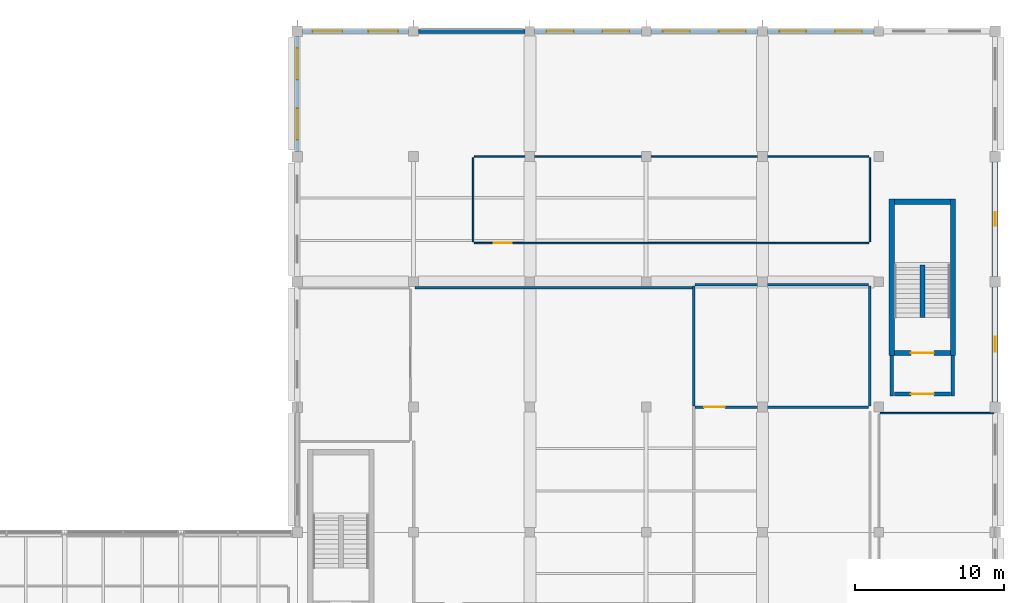
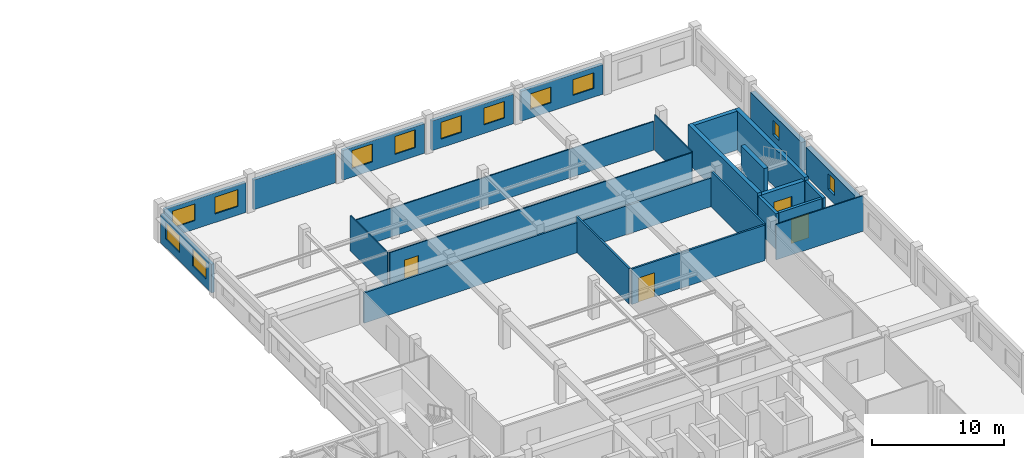
# One storey, part 45 of 49: 26 walls, 12 windows, 4 doors, 16 openings.
"""IFC4 building model written with IfcOpenShell, lengths in metres."""

from ifc_helpers import new_model, si_unit, direction, frame, frame_2d, origin, place, context, subcontext, project, spatial, rectangle, extrude, material, layer, layer_set, type_object, element, fill, save


model = new_model("IFC4")

# Units and contexts
model_context = context("Model", 3, precision=1e-05, world=origin(), true_north=direction((0.0, 1.0)))
body_context = subcontext(model_context, "Body", "Model", "MODEL_VIEW")
ifc_project = project(units=[si_unit("LENGTHUNIT", "METRE"), si_unit("AREAUNIT", "SQUARE_METRE"), si_unit("VOLUMEUNIT", "CUBIC_METRE"), si_unit("PLANEANGLEUNIT", "RADIAN"), si_unit("MASSUNIT", "GRAM", prefix="KILO"), si_unit("THERMODYNAMICTEMPERATUREUNIT", "KELVIN"), si_unit("POWERUNIT", "WATT")], contexts=[model_context])

# Site, building, storey
site_placement = place(None, origin())
site = spatial("IfcSite", under=ifc_project, at=site_placement, CompositionType="ELEMENT")
building_placement = place(site_placement, origin())
building = spatial("IfcBuilding", under=site, at=building_placement, Name="Srebrne Nadtorze General Hospital", CompositionType="ELEMENT")
storey_placement = place(building_placement, frame((0.0, 0.0, 26.10009765625)))
storey = spatial("IfcBuildingStorey", under=building, at=storey_placement, Name="L06", CompositionType="ELEMENT", Elevation=26.10009765625)

# Wall, opening, window
ifc_material_1 = material(Name="Concrete C40/50", Category="concrete")
ifc_layer_1 = layer(ifc_material_1, 0.419921875)
ifc_layer_set_1 = layer_set([ifc_layer_1], Name="Concrete C40/50")
wall_type_1 = type_object("IfcWallType", Name="Acoustic buffer wall 420", PredefinedType="SOLIDWALL", material=ifc_layer_set_1)
wall_1_placement = place(storey_placement, frame((148.199951171875, 67.550048828125, 0.0), z_axis=(0.0, 0.0, 1.0), x_axis=(0.0, 1.0, 0.0)))
wall_1 = element("IfcWall", 1, at=wall_1_placement, inside=storey, type_object=wall_type_1, Name="Exterior wall WL-ENV-L06-0503", PredefinedType="SOLIDWALL", context=body_context, shape_type="SweptSolid", body=[
    extrude(rectangle(XDim=7.699951171875, YDim=0.419921875, at=frame_2d((3.85009765625, 0.0))), origin(), (0.0, 0.0, 1.0), 2.64990234375),
])
opening_1_placement = place(wall_1_placement, frame((3.35009765625, 0.0, 0.800048828125)))
opening_1 = element("IfcOpeningElement", 2, at=opening_1_placement, cuts=wall_1, Name="Opening WN-L06-0836", PredefinedType="OPENING", context=body_context, shape_type="SweptSolid", body=[
    extrude(rectangle(XDim=1.0, YDim=1.449951171875, at=frame_2d((0.5, 0.72509765625))), frame((0.0, 0.221923828125, 0.0), z_axis=(0.0, -1.0, 0.0), x_axis=(1.0, 0.0, 0.0)), (0.0, 0.0, 1.0), 0.44384765625),
])
ifc_material_2 = material(Name="Triple Low-E Glazing", Category="glass")
window_type_1 = type_object("IfcWindowType", Name="Punched clinical window 1000x1450", PartitioningType="SINGLE_PANEL", PredefinedType="WINDOW", material=ifc_material_2)
window_1_placement = place(opening_1_placement, origin())
window_1 = element("IfcWindow", 3, at=window_1_placement, inside=storey, type_object=window_type_1, Name="Clinical window WN-L06-0836", OverallHeight=1.449951171875, OverallWidth=1.0, PartitioningType="SINGLE_PANEL", PredefinedType="WINDOW", context=body_context, shape_type="SweptSolid", body=[
    extrude(rectangle(XDim=1.0, YDim=1.449951171875, at=frame_2d((0.5, 0.72509765625))), frame((0.0, 0.030029296875, 0.0), z_axis=(0.0, -1.0, 0.0), x_axis=(1.0, 0.0, 0.0)), (0.0, 0.0, 1.0), 0.06005859375),
])
fill(opening_1, window_1)

wall_2_placement = place(storey_placement, frame((148.199951171875, 75.949951171875, 0.0), z_axis=(0.0, 0.0, 1.0), x_axis=(0.0, 1.0, 0.0)))
wall_2 = element("IfcWall", 4, at=wall_2_placement, inside=storey, type_object=wall_type_1, Name="Exterior wall WL-ENV-L06-0504", PredefinedType="SOLIDWALL", context=body_context, shape_type="SweptSolid", body=[
    extrude(rectangle(XDim=7.699951171875, YDim=0.419921875, at=frame_2d((3.85009765625, 0.0))), origin(), (0.0, 0.0, 1.0), 2.64990234375),
])
opening_2_placement = place(wall_2_placement, frame((3.39990234375, 0.0, 0.800048828125)))
opening_2 = element("IfcOpeningElement", 5, at=opening_2_placement, cuts=wall_2, Name="Opening WN-L06-0837", PredefinedType="OPENING", context=body_context, shape_type="SweptSolid", body=[
    extrude(rectangle(XDim=0.89990234375, YDim=1.300048828125, at=frame_2d((0.449951171875, 0.64990234375))), frame((0.0, 0.221923828125, 0.0), z_axis=(0.0, -1.0, 0.0), x_axis=(1.0, 0.0, 0.0)), (0.0, 0.0, 1.0), 0.44384765625),
])
ifc_material_3 = material(Name="Triple Low-E Glazing", Category="glass")
window_type_2 = type_object("IfcWindowType", Name="Punched clinical window 900x1300", PartitioningType="SINGLE_PANEL", PredefinedType="WINDOW", material=ifc_material_3)
window_2_placement = place(opening_2_placement, origin())
window_2 = element("IfcWindow", 6, at=window_2_placement, inside=storey, type_object=window_type_2, Name="Clinical window WN-L06-0837", OverallHeight=1.300048828125, OverallWidth=0.89990234375, PartitioningType="SINGLE_PANEL", PredefinedType="WINDOW", context=body_context, shape_type="SweptSolid", body=[
    extrude(rectangle(XDim=0.89990234375, YDim=1.300048828125, at=frame_2d((0.449951171875, 0.64990234375))), frame((0.0, 0.030029296875, 0.0), z_axis=(0.0, -1.0, 0.0), x_axis=(1.0, 0.0, 0.0)), (0.0, 0.0, 1.0), 0.06005859375),
])
fill(opening_2, window_2)

# Wall, opening, door
ifc_material_4 = material(Name="Gypsum Healthcare Partition")
ifc_layer_2 = layer(ifc_material_4, 0.159912109375)
ifc_layer_set_2 = layer_set([ifc_layer_2], Name="Gypsum Healthcare Partition")
wall_type_2 = type_object("IfcWallType", Name="Clinical partition 160", PredefinedType="PARTITIONING", material=ifc_layer_set_2)
wall_3_placement = place(storey_placement, frame((128.0849609375, 67.199951171875, 0.0), z_axis=(0.0, 0.0, 1.0), x_axis=(1.0, 0.0, 0.0)))
wall_3 = element("IfcWall", 7, at=wall_3_placement, inside=storey, type_object=wall_type_2, Name="Ergotherapy Assessment Room wall WL-INT-L06-2210", PredefinedType="PARTITIONING", context=body_context, shape_type="SweptSolid", body=[
    extrude(rectangle(XDim=11.630126953125, YDim=0.159912109375, at=frame_2d((5.81494140625, 0.0))), origin(), (0.0, 0.0, 1.0), 3.27978515625),
])
opening_3_placement = place(wall_3_placement, frame((0.597412109375, 0.0, 0.0)))
opening_3 = element("IfcOpeningElement", 8, at=opening_3_placement, cuts=wall_3, Name="Opening D-L06-0478", PredefinedType="OPENING", context=body_context, shape_type="SweptSolid", body=[
    extrude(rectangle(XDim=1.39990234375, YDim=2.25, at=frame_2d((0.699951171875, 1.125))), frame((0.0, 0.091796875, 0.0), z_axis=(0.0, -1.0, 0.0), x_axis=(1.0, 0.0, 0.0)), (0.0, 0.0, 1.0), 0.183837890625),
])
ifc_material_5 = material(Name="Anodised Aluminium", Category="aluminium")
door_type_1 = type_object("IfcDoorType", Name="Single leaf door 1400x2250", OperationType="NOTDEFINED", PredefinedType="DOOR", material=ifc_material_5)
door_1_placement = place(opening_3_placement, origin())
door_1 = element("IfcDoor", 9, at=door_1_placement, inside=storey, type_object=door_type_1, Name="Ergotherapy Assessment Room door D-L06-0478", OperationType="SINGLE_SWING_LEFT", OverallHeight=2.25, OverallWidth=1.39990234375, PredefinedType="DOOR", context=body_context, shape_type="SweptSolid", body=[
    extrude(rectangle(XDim=1.39990234375, YDim=2.25, at=frame_2d((0.699951171875, 1.125))), frame((0.0, 0.02490234375, 0.0), z_axis=(0.0, -1.0, 0.0), x_axis=(1.0, 0.0, 0.0)), (0.0, 0.0, 1.0), 0.050048828125),
])
fill(opening_3, door_1)

# Walls
wall_4_placement = place(storey_placement, frame((128.0849609375, 75.39990234375, 0.0), z_axis=(0.0, 0.0, 1.0), x_axis=(1.0, 0.0, 0.0)))
element("IfcWall", 10, at=wall_4_placement, inside=storey, type_object=wall_type_2, Name="Ergotherapy Assessment Room wall WL-INT-L06-2211", PredefinedType="PARTITIONING", context=body_context, shape_type="SweptSolid", body=[
    extrude(rectangle(XDim=11.630126953125, YDim=0.159912109375, at=frame_2d((5.81494140625, 0.0))), origin(), (0.0, 0.0, 1.0), 2.64990234375),
])
for number, where, z_axis, x_axis, name in (
    (11, (128.0, 67.284912109375, 0.0), (0.0, 0.0, 1.0), (0.0, 1.0, 0.0), "Ergotherapy Assessment Room wall WL-INT-L06-2212"),
    (12, (139.800048828125, 67.284912109375, 0.0), (0.0, 0.0, 1.0), (0.0, 1.0, 0.0), "Ergotherapy Assessment Room wall WL-INT-L06-2213"),
):
    element("IfcWall", number, at=place(storey_placement, frame(where, z_axis=z_axis, x_axis=x_axis)), inside=storey, type_object=wall_type_2, Name=name, PredefinedType="PARTITIONING", context=body_context, shape_type="SweptSolid", body=[
        extrude(rectangle(XDim=8.030029296875, YDim=0.159912109375, at=frame_2d((4.01513671875, 0.0))), origin(), (0.0, 0.0, 1.0), 3.27978515625),
    ])
wall_5_placement = place(storey_placement, frame((109.284912109375, 75.199951171875, 0.0), z_axis=(0.0, 0.0, 1.0), x_axis=(1.0, 0.0, 0.0)))
element("IfcWall", 13, at=wall_5_placement, inside=storey, type_object=wall_type_2, Name="Physiotherapy Kinesiotherapy Gymnasium wall WL-INT-L06-2221", PredefinedType="PARTITIONING", context=body_context, shape_type="SweptSolid", body=[
    extrude(rectangle(XDim=18.630126953125, YDim=0.159912109375, at=frame_2d((9.31494140625, 0.0))), origin(), (0.0, 0.0, 1.0), 2.7998046875),
])
ifc_material_6 = material(Name="Gypsum Healthcare Partition")
ifc_layer_3 = layer(ifc_material_6, 0.239990234375)
ifc_layer_set_3 = layer_set([ifc_layer_3], Name="Gypsum Healthcare Partition")
wall_type_3 = type_object("IfcWallType", Name="Corridor fire wall 240", PredefinedType="STANDARD", material=ifc_layer_set_3)
for number, where, z_axis, x_axis, name in (
    (14, (141.27490234375, 67.955078125, 0.0), (0.0, 0.0, 1.0), (0.0, 1.0, 0.0), "Fire lobby wall ST-04 WL-INT-L06-0405"),
    (15, (145.375, 67.955078125, 0.0), (0.0, 0.0, 1.0), (0.0, 1.0, 0.0), "Fire lobby wall ST-04 WL-INT-L06-0406"),
):
    element("IfcWall", number, at=place(storey_placement, frame(where, z_axis=z_axis, x_axis=x_axis)), inside=storey, type_object=wall_type_3, Name=name, PredefinedType="STANDARD", context=body_context, shape_type="SweptSolid", body=[
        extrude(rectangle(XDim=2.69482421875, YDim=0.239990234375, at=frame_2d((1.347412109375, 0.0))), origin(), (0.0, 0.0, 1.0), 3.2998046875),
    ])

# Wall, opening, door
wall_6_placement = place(storey_placement, frame((141.449951171875, 68.074951171875, 0.0), z_axis=(0.0, 0.0, 1.0), x_axis=(1.0, 0.0, 0.0)))
wall_6 = element("IfcWall", 16, at=wall_6_placement, inside=storey, type_object=wall_type_3, Name="Fire lobby entry wall ST-04 WL-INT-L06-0407", PredefinedType="STANDARD", context=body_context, shape_type="SweptSolid", body=[
    extrude(rectangle(XDim=3.75, YDim=0.239990234375, at=frame_2d((1.875, 0.0))), origin(), (0.0, 0.0, 1.0), 3.2998046875),
])
opening_4_placement = place(wall_6_placement, frame((1.10009765625, 0.0, 0.0)))
opening_4 = element("IfcOpeningElement", 17, at=opening_4_placement, cuts=wall_6, Name="Opening D-L06-0102", PredefinedType="OPENING", context=body_context, shape_type="SweptSolid", body=[
    extrude(rectangle(XDim=1.550048828125, YDim=2.25, at=frame_2d((0.77490234375, 1.125))), frame((0.0, 0.1318359375, 0.0), z_axis=(0.0, -1.0, 0.0), x_axis=(1.0, 0.0, 0.0)), (0.0, 0.0, 1.0), 0.263916015625),
])
ifc_material_7 = material(Name="Anodised Aluminium", Category="aluminium")
door_type_2 = type_object("IfcDoorType", Name="Double leaf door 1550x2250", OperationType="DOUBLE_DOOR_SINGLE_SWING", PredefinedType="DOOR", material=ifc_material_7)
door_2_placement = place(opening_4_placement, origin())
door_2 = element("IfcDoor", 18, at=door_2_placement, inside=storey, type_object=door_type_2, Name="Fire lobby door ST-04 D-L06-0102", OperationType="DOUBLE_DOOR_SINGLE_SWING", OverallHeight=2.25, OverallWidth=1.550048828125, PredefinedType="DOOR", context=body_context, shape_type="SweptSolid", body=[
    extrude(rectangle(XDim=1.550048828125, YDim=2.25, at=frame_2d((0.77490234375, 1.125))), frame((0.0, 0.02490234375, 0.0), z_axis=(0.0, -1.0, 0.0), x_axis=(1.0, 0.0, 0.0)), (0.0, 0.0, 1.0), 0.050048828125),
])
fill(opening_4, door_2)

ifc_material_8 = material(Name="Gypsum Healthcare Partition")
ifc_layer_4 = layer(ifc_material_8, 0.10009765625)
ifc_layer_set_4 = layer_set([ifc_layer_4], Name="Gypsum Healthcare Partition")
wall_type_4 = type_object("IfcWallType", Name="Shaft lining wall 100", PredefinedType="PARTITIONING", material=ifc_layer_set_4)
wall_7_placement = place(storey_placement, frame((113.284912109375, 78.199951171875, 0.0), z_axis=(0.0, 0.0, 1.0), x_axis=(1.0, 0.0, 0.0)))
wall_7 = element("IfcWall", 19, at=wall_7_placement, inside=storey, type_object=wall_type_4, Name="Respiratory Function Laboratory wall WL-INT-L06-2226", PredefinedType="PARTITIONING", context=body_context, shape_type="SweptSolid", body=[
    extrude(rectangle(XDim=26.43017578125, YDim=0.10009765625, at=frame_2d((13.215087890625, 0.0))), origin(), (0.0, 0.0, 1.0), 3.27978515625),
])
opening_5_placement = place(wall_7_placement, frame((1.294921875, 0.0, 0.0)))
opening_5 = element("IfcOpeningElement", 20, at=opening_5_placement, cuts=wall_7, Name="Opening D-L06-0483", PredefinedType="OPENING", context=body_context, shape_type="SweptSolid", body=[
    extrude(rectangle(XDim=1.199951171875, YDim=2.14990234375, at=frame_2d((0.60009765625, 1.074951171875))), frame((0.0, 0.06201171875, 0.0), z_axis=(0.0, -1.0, 0.0), x_axis=(1.0, 0.0, 0.0)), (0.0, 0.0, 1.0), 0.1240234375),
])
ifc_material_9 = material(Name="Anodised Aluminium", Category="aluminium")
door_type_3 = type_object("IfcDoorType", Name="Single leaf door 1200x2150", OperationType="NOTDEFINED", PredefinedType="DOOR", material=ifc_material_9)
door_3_placement = place(opening_5_placement, origin())
door_3 = element("IfcDoor", 21, at=door_3_placement, inside=storey, type_object=door_type_3, Name="Respiratory Function Laboratory door D-L06-0483", OperationType="SINGLE_SWING_LEFT", OverallHeight=2.14990234375, OverallWidth=1.199951171875, PredefinedType="DOOR", context=body_context, shape_type="SweptSolid", body=[
    extrude(rectangle(XDim=1.199951171875, YDim=2.14990234375, at=frame_2d((0.60009765625, 1.074951171875))), frame((0.0, 0.02490234375, 0.0), z_axis=(0.0, -1.0, 0.0), x_axis=(1.0, 0.0, 0.0)), (0.0, 0.0, 1.0), 0.050048828125),
])
fill(opening_5, door_3)

# Walls
wall_8_placement = place(storey_placement, frame((113.284912109375, 84.0, 0.0), z_axis=(0.0, 0.0, 1.0), x_axis=(1.0, 0.0, 0.0)))
element("IfcWall", 22, at=wall_8_placement, inside=storey, type_object=wall_type_4, Name="Respiratory Function Laboratory wall WL-INT-L06-2227", PredefinedType="PARTITIONING", context=body_context, shape_type="SweptSolid", body=[
    extrude(rectangle(XDim=26.43017578125, YDim=0.10009765625, at=frame_2d((13.215087890625, 0.0))), origin(), (0.0, 0.0, 1.0), 2.64990234375),
])
for number, where, z_axis, x_axis, name in (
    (23, (113.199951171875, 78.284912109375, 0.0), (0.0, 0.0, 1.0), (0.0, 1.0, 0.0), "Respiratory Function Laboratory wall WL-INT-L06-2228"),
    (24, (139.800048828125, 78.284912109375, 0.0), (0.0, 0.0, 1.0), (0.0, 1.0, 0.0), "Respiratory Function Laboratory wall WL-INT-L06-2229"),
):
    element("IfcWall", number, at=place(storey_placement, frame(where, z_axis=z_axis, x_axis=x_axis)), inside=storey, type_object=wall_type_4, Name=name, PredefinedType="PARTITIONING", context=body_context, shape_type="SweptSolid", body=[
        extrude(rectangle(XDim=5.630126953125, YDim=0.10009765625, at=frame_2d((2.81494140625, 0.0))), origin(), (0.0, 0.0, 1.0), 3.27978515625),
    ])
wall_9_placement = place(storey_placement, frame((140.485107421875, 66.800048828125, 0.0), z_axis=(0.0, 0.0, 1.0), x_axis=(1.0, 0.0, 0.0)))
element("IfcWall", 25, at=wall_9_placement, inside=storey, type_object=wall_type_4, Name="Clinical Nutrition Consultation Suite wall WL-INT-L06-2238", PredefinedType="PARTITIONING", context=body_context, shape_type="SweptSolid", body=[
    extrude(rectangle(XDim=7.6298828125, YDim=0.10009765625, at=frame_2d((3.81494140625, 0.0))), origin(), (0.0, 0.0, 1.0), 3.27978515625),
])
ifc_material_10 = material(Name="Concrete C40/50", Category="concrete")
ifc_layer_5 = layer(ifc_material_10, 0.35009765625)
ifc_layer_set_5 = layer_set([ifc_layer_5], Name="Concrete C40/50")
wall_type_5 = type_object("IfcWallType", Name="Shear core wall 350", PredefinedType="SHEAR", material=ifc_layer_set_5)
for number, where, z_axis, x_axis, name in (
    (26, (141.27490234375, 70.64990234375, 0.0), (0.0, 0.0, 1.0), (0.0, 1.0, 0.0), "Stair core wall ST-04 WL-INT-L06-0401"),
    (27, (145.375, 70.64990234375, 0.0), (0.0, 0.0, 1.0), (0.0, 1.0, 0.0), "Stair core wall ST-04 WL-INT-L06-0402"),
):
    element("IfcWall", number, at=place(storey_placement, frame(where, z_axis=z_axis, x_axis=x_axis)), inside=storey, type_object=wall_type_5, Name=name, PredefinedType="SHEAR", context=body_context, shape_type="SweptSolid", body=[
        extrude(rectangle(XDim=10.5, YDim=0.35009765625, at=frame_2d((5.25, 0.0))), origin(), (0.0, 0.0, 1.0), 3.599853515625),
    ])
wall_10_placement = place(storey_placement, frame((141.449951171875, 80.97509765625, 0.0), z_axis=(0.0, 0.0, 1.0), x_axis=(1.0, 0.0, 0.0)))
element("IfcWall", 28, at=wall_10_placement, inside=storey, type_object=wall_type_5, Name="Stair core wall ST-04 WL-INT-L06-0403", PredefinedType="SHEAR", context=body_context, shape_type="SweptSolid", body=[
    extrude(rectangle(XDim=3.75, YDim=0.35009765625, at=frame_2d((1.875, 0.0))), origin(), (0.0, 0.0, 1.0), 3.599853515625),
])

# Wall, opening, door
wall_11_placement = place(storey_placement, frame((141.449951171875, 70.824951171875, 0.0), z_axis=(0.0, 0.0, 1.0), x_axis=(1.0, 0.0, 0.0)))
wall_11 = element("IfcWall", 29, at=wall_11_placement, inside=storey, type_object=wall_type_5, Name="Stairwell fire wall ST-04 WL-INT-L06-0404", PredefinedType="SHEAR", context=body_context, shape_type="SweptSolid", body=[
    extrude(rectangle(XDim=3.75, YDim=0.35009765625, at=frame_2d((1.875, 0.0))), origin(), (0.0, 0.0, 1.0), 3.2998046875),
])
opening_6_placement = place(wall_11_placement, frame((1.10009765625, 0.0, 0.0)))
opening_6 = element("IfcOpeningElement", 30, at=opening_6_placement, cuts=wall_11, Name="Opening D-L06-0101", PredefinedType="OPENING", context=body_context, shape_type="SweptSolid", body=[
    extrude(rectangle(XDim=1.550048828125, YDim=2.25, at=frame_2d((0.77490234375, 1.125))), frame((0.0, 0.18701171875, 0.0), z_axis=(0.0, -1.0, 0.0), x_axis=(1.0, 0.0, 0.0)), (0.0, 0.0, 1.0), 0.3740234375),
])
door_4_placement = place(opening_6_placement, origin())
door_4 = element("IfcDoor", 31, at=door_4_placement, inside=storey, type_object=door_type_2, Name="Protected stair door ST-04 D-L06-0101", OperationType="DOUBLE_DOOR_SINGLE_SWING", OverallHeight=2.25, OverallWidth=1.550048828125, PredefinedType="DOOR", context=body_context, shape_type="SweptSolid", body=[
    extrude(rectangle(XDim=1.550048828125, YDim=2.25, at=frame_2d((0.77490234375, 1.125))), frame((0.0, 0.02490234375, 0.0), z_axis=(0.0, -1.0, 0.0), x_axis=(1.0, 0.0, 0.0)), (0.0, 0.0, 1.0), 0.050048828125),
])
fill(opening_6, door_4)

# Wall
wall_12_placement = place(storey_placement, frame((143.324951171875, 73.199951171875, 0.0), z_axis=(0.0, 0.0, 1.0), x_axis=(0.0, 1.0, 0.0)))
element("IfcWall", 32, at=wall_12_placement, inside=storey, type_object=wall_type_5, Name="Stair spine wall ST-04 WL-INT-L06-0408", PredefinedType="SHEAR", context=body_context, shape_type="SweptSolid", body=[
    extrude(rectangle(XDim=3.52001953125, YDim=0.35009765625, at=frame_2d((1.760009765625, 0.0))), origin(), (0.0, 0.0, 1.0), 3.599853515625),
])

# Wall, openings, windows
ifc_material_11 = material(Name="Concrete C35/45 precast", Category="concrete")
ifc_layer_6 = layer(ifc_material_11, 0.260009765625)
ifc_layer_set_6 = layer_set([ifc_layer_6], Name="Concrete C35/45 precast")
wall_type_6 = type_object("IfcWallType", Name="Spandrel wall 260", PredefinedType="STANDARD", material=ifc_layer_set_6)
wall_13_placement = place(storey_placement, frame((101.75, 92.39990234375, 0.0), z_axis=(0.0, 0.0, 1.0), x_axis=(1.0, 0.0, 0.0)))
wall_13 = element("IfcWall", 33, at=wall_13_placement, inside=storey, type_object=wall_type_6, Name="Exterior wall WL-ENV-L06-0474", PredefinedType="STANDARD", context=body_context, shape_type="SweptSolid", body=[
    extrude(rectangle(XDim=7.125, YDim=0.260009765625, at=frame_2d((3.5625, 0.0))), origin(), (0.0, 0.0, 1.0), 2.75),
])
opening_7_placement = place(wall_13_placement, frame((0.677978515625, 0.0, 0.800048828125)))
opening_7 = element("IfcOpeningElement", 34, at=opening_7_placement, cuts=wall_13, Name="Opening WN-L06-0785", PredefinedType="OPENING", context=body_context, shape_type="SweptSolid", body=[
    extrude(rectangle(XDim=2.0, YDim=1.550048828125, at=frame_2d((1.0, 0.77490234375))), frame((0.0, 0.14208984375, 0.0), z_axis=(0.0, -1.0, 0.0), x_axis=(1.0, 0.0, 0.0)), (0.0, 0.0, 1.0), 0.283935546875),
])
opening_8_placement = place(wall_13_placement, frame((4.422119140625, 0.0, 0.800048828125)))
opening_8 = element("IfcOpeningElement", 35, at=opening_8_placement, cuts=wall_13, Name="Opening WN-L06-0786", PredefinedType="OPENING", context=body_context, shape_type="SweptSolid", body=[
    extrude(rectangle(XDim=2.0, YDim=1.550048828125, at=frame_2d((1.0, 0.77490234375))), frame((0.0, 0.14208984375, 0.0), z_axis=(0.0, -1.0, 0.0), x_axis=(1.0, 0.0, 0.0)), (0.0, 0.0, 1.0), 0.283935546875),
])
ifc_material_12 = material(Name="Triple Low-E Glazing", Category="glass")
window_type_3 = type_object("IfcWindowType", Name="Punched clinical window 2000x1550", PartitioningType="DOUBLE_PANEL_VERTICAL", PredefinedType="WINDOW", material=ifc_material_12)
window_3_placement = place(opening_7_placement, origin())
window_3 = element("IfcWindow", 36, at=window_3_placement, inside=storey, type_object=window_type_3, Name="Clinical window WN-L06-0785", OverallHeight=1.550048828125, OverallWidth=2.0, PartitioningType="DOUBLE_PANEL_VERTICAL", PredefinedType="WINDOW", context=body_context, shape_type="SweptSolid", body=[
    extrude(rectangle(XDim=2.0, YDim=1.550048828125, at=frame_2d((1.0, 0.77490234375))), frame((0.0, 0.030029296875, 0.0), z_axis=(0.0, -1.0, 0.0), x_axis=(1.0, 0.0, 0.0)), (0.0, 0.0, 1.0), 0.06005859375),
])
fill(opening_7, window_3)
window_4_placement = place(opening_8_placement, origin())
window_4 = element("IfcWindow", 37, at=window_4_placement, inside=storey, type_object=window_type_3, Name="Clinical window WN-L06-0786", OverallHeight=1.550048828125, OverallWidth=2.0, PartitioningType="DOUBLE_PANEL_VERTICAL", PredefinedType="WINDOW", context=body_context, shape_type="SweptSolid", body=[
    extrude(rectangle(XDim=2.0, YDim=1.550048828125, at=frame_2d((1.0, 0.77490234375))), frame((0.0, 0.030029296875, 0.0), z_axis=(0.0, -1.0, 0.0), x_axis=(1.0, 0.0, 0.0)), (0.0, 0.0, 1.0), 0.06005859375),
])
fill(opening_8, window_4)

# Wall
wall_14_placement = place(storey_placement, frame((109.52490234375, 92.39990234375, 0.0), z_axis=(0.0, 0.0, 1.0), x_axis=(1.0, 0.0, 0.0)))
element("IfcWall", 38, at=wall_14_placement, inside=storey, type_object=wall_type_6, Name="Exterior wall WL-ENV-L06-0475", PredefinedType="STANDARD", context=body_context, shape_type="SweptSolid", body=[
    extrude(rectangle(XDim=7.150146484375, YDim=0.260009765625, at=frame_2d((3.5751953125, 0.0))), origin(), (0.0, 0.0, 1.0), 2.75),
])

# Wall, openings, windows
wall_15_placement = place(storey_placement, frame((117.324951171875, 92.39990234375, 0.0), z_axis=(0.0, 0.0, 1.0), x_axis=(1.0, 0.0, 0.0)))
wall_15 = element("IfcWall", 39, at=wall_15_placement, inside=storey, type_object=wall_type_6, Name="Exterior wall WL-ENV-L06-0476", PredefinedType="STANDARD", context=body_context, shape_type="SweptSolid", body=[
    extrude(rectangle(XDim=7.150146484375, YDim=0.260009765625, at=frame_2d((3.5751953125, 0.0))), origin(), (0.0, 0.0, 1.0), 2.75),
])
opening_9_placement = place(wall_15_placement, frame((0.802978515625, 0.0, 0.800048828125)))
opening_9 = element("IfcOpeningElement", 40, at=opening_9_placement, cuts=wall_15, Name="Opening WN-L06-0787", PredefinedType="OPENING", context=body_context, shape_type="SweptSolid", body=[
    extrude(rectangle(XDim=1.800048828125, YDim=1.64990234375, at=frame_2d((0.89990234375, 0.824951171875))), frame((0.0, 0.14208984375, 0.0), z_axis=(0.0, -1.0, 0.0), x_axis=(1.0, 0.0, 0.0)), (0.0, 0.0, 1.0), 0.283935546875),
])
opening_10_placement = place(wall_15_placement, frame((4.547119140625, 0.0, 0.800048828125)))
opening_10 = element("IfcOpeningElement", 41, at=opening_10_placement, cuts=wall_15, Name="Opening WN-L06-0788", PredefinedType="OPENING", context=body_context, shape_type="SweptSolid", body=[
    extrude(rectangle(XDim=1.800048828125, YDim=1.64990234375, at=frame_2d((0.89990234375, 0.824951171875))), frame((0.0, 0.14208984375, 0.0), z_axis=(0.0, -1.0, 0.0), x_axis=(1.0, 0.0, 0.0)), (0.0, 0.0, 1.0), 0.283935546875),
])
ifc_material_13 = material(Name="Triple Low-E Glazing", Category="glass")
window_type_4 = type_object("IfcWindowType", Name="Punched clinical window 1800x1650", PartitioningType="DOUBLE_PANEL_VERTICAL", PredefinedType="WINDOW", material=ifc_material_13)
window_5_placement = place(opening_9_placement, origin())
window_5 = element("IfcWindow", 42, at=window_5_placement, inside=storey, type_object=window_type_4, Name="Clinical window WN-L06-0787", OverallHeight=1.64990234375, OverallWidth=1.800048828125, PartitioningType="DOUBLE_PANEL_VERTICAL", PredefinedType="WINDOW", context=body_context, shape_type="SweptSolid", body=[
    extrude(rectangle(XDim=1.800048828125, YDim=1.64990234375, at=frame_2d((0.89990234375, 0.824951171875))), frame((0.0, 0.030029296875, 0.0), z_axis=(0.0, -1.0, 0.0), x_axis=(1.0, 0.0, 0.0)), (0.0, 0.0, 1.0), 0.06005859375),
])
fill(opening_9, window_5)
window_6_placement = place(opening_10_placement, origin())
window_6 = element("IfcWindow", 43, at=window_6_placement, inside=storey, type_object=window_type_4, Name="Clinical window WN-L06-0788", OverallHeight=1.64990234375, OverallWidth=1.800048828125, PartitioningType="DOUBLE_PANEL_VERTICAL", PredefinedType="WINDOW", context=body_context, shape_type="SweptSolid", body=[
    extrude(rectangle(XDim=1.800048828125, YDim=1.64990234375, at=frame_2d((0.89990234375, 0.824951171875))), frame((0.0, 0.030029296875, 0.0), z_axis=(0.0, -1.0, 0.0), x_axis=(1.0, 0.0, 0.0)), (0.0, 0.0, 1.0), 0.06005859375),
])
fill(opening_10, window_6)

wall_16_placement = place(storey_placement, frame((125.125, 92.39990234375, 0.0), z_axis=(0.0, 0.0, 1.0), x_axis=(1.0, 0.0, 0.0)))
wall_16 = element("IfcWall", 44, at=wall_16_placement, inside=storey, type_object=wall_type_6, Name="Exterior wall WL-ENV-L06-0477", PredefinedType="STANDARD", context=body_context, shape_type="SweptSolid", body=[
    extrude(rectangle(XDim=7.14990234375, YDim=0.260009765625, at=frame_2d((3.574951171875, 0.0))), origin(), (0.0, 0.0, 1.0), 2.75),
])
opening_11_placement = place(wall_16_placement, frame((0.802978515625, 0.0, 0.800048828125)))
opening_11 = element("IfcOpeningElement", 45, at=opening_11_placement, cuts=wall_16, Name="Opening WN-L06-0789", PredefinedType="OPENING", context=body_context, shape_type="SweptSolid", body=[
    extrude(rectangle(XDim=1.800048828125, YDim=1.550048828125, at=frame_2d((0.89990234375, 0.77490234375))), frame((0.0, 0.14208984375, 0.0), z_axis=(0.0, -1.0, 0.0), x_axis=(1.0, 0.0, 0.0)), (0.0, 0.0, 1.0), 0.283935546875),
])
opening_12_placement = place(wall_16_placement, frame((4.547119140625, 0.0, 0.800048828125)))
opening_12 = element("IfcOpeningElement", 46, at=opening_12_placement, cuts=wall_16, Name="Opening WN-L06-0790", PredefinedType="OPENING", context=body_context, shape_type="SweptSolid", body=[
    extrude(rectangle(XDim=1.800048828125, YDim=1.550048828125, at=frame_2d((0.89990234375, 0.77490234375))), frame((0.0, 0.14208984375, 0.0), z_axis=(0.0, -1.0, 0.0), x_axis=(1.0, 0.0, 0.0)), (0.0, 0.0, 1.0), 0.283935546875),
])
ifc_material_14 = material(Name="Triple Low-E Glazing", Category="glass")
window_type_5 = type_object("IfcWindowType", Name="Punched clinical window 1800x1550", PartitioningType="DOUBLE_PANEL_VERTICAL", PredefinedType="WINDOW", material=ifc_material_14)
window_7_placement = place(opening_11_placement, origin())
window_7 = element("IfcWindow", 47, at=window_7_placement, inside=storey, type_object=window_type_5, Name="Clinical window WN-L06-0789", OverallHeight=1.550048828125, OverallWidth=1.800048828125, PartitioningType="DOUBLE_PANEL_VERTICAL", PredefinedType="WINDOW", context=body_context, shape_type="SweptSolid", body=[
    extrude(rectangle(XDim=1.800048828125, YDim=1.550048828125, at=frame_2d((0.89990234375, 0.77490234375))), frame((0.0, 0.030029296875, 0.0), z_axis=(0.0, -1.0, 0.0), x_axis=(1.0, 0.0, 0.0)), (0.0, 0.0, 1.0), 0.06005859375),
])
fill(opening_11, window_7)
window_8_placement = place(opening_12_placement, origin())
window_8 = element("IfcWindow", 48, at=window_8_placement, inside=storey, type_object=window_type_5, Name="Clinical window WN-L06-0790", OverallHeight=1.550048828125, OverallWidth=1.800048828125, PartitioningType="DOUBLE_PANEL_VERTICAL", PredefinedType="WINDOW", context=body_context, shape_type="SweptSolid", body=[
    extrude(rectangle(XDim=1.800048828125, YDim=1.550048828125, at=frame_2d((0.89990234375, 0.77490234375))), frame((0.0, 0.030029296875, 0.0), z_axis=(0.0, -1.0, 0.0), x_axis=(1.0, 0.0, 0.0)), (0.0, 0.0, 1.0), 0.06005859375),
])
fill(opening_12, window_8)

wall_17_placement = place(storey_placement, frame((132.925048828125, 92.39990234375, 0.0), z_axis=(0.0, 0.0, 1.0), x_axis=(1.0, 0.0, 0.0)))
wall_17 = element("IfcWall", 49, at=wall_17_placement, inside=storey, type_object=wall_type_6, Name="Exterior wall WL-ENV-L06-0478", PredefinedType="STANDARD", context=body_context, shape_type="SweptSolid", body=[
    extrude(rectangle(XDim=7.14990234375, YDim=0.260009765625, at=frame_2d((3.574951171875, 0.0))), origin(), (0.0, 0.0, 1.0), 2.75),
])
opening_13_placement = place(wall_17_placement, frame((0.802978515625, 0.0, 0.800048828125)))
opening_13 = element("IfcOpeningElement", 50, at=opening_13_placement, cuts=wall_17, Name="Opening WN-L06-0791", PredefinedType="OPENING", context=body_context, shape_type="SweptSolid", body=[
    extrude(rectangle(XDim=1.800048828125, YDim=1.449951171875, at=frame_2d((0.89990234375, 0.72509765625))), frame((0.0, 0.14208984375, 0.0), z_axis=(0.0, -1.0, 0.0), x_axis=(1.0, 0.0, 0.0)), (0.0, 0.0, 1.0), 0.283935546875),
])
opening_14_placement = place(wall_17_placement, frame((4.547119140625, 0.0, 0.800048828125)))
opening_14 = element("IfcOpeningElement", 51, at=opening_14_placement, cuts=wall_17, Name="Opening WN-L06-0792", PredefinedType="OPENING", context=body_context, shape_type="SweptSolid", body=[
    extrude(rectangle(XDim=1.800048828125, YDim=1.449951171875, at=frame_2d((0.89990234375, 0.72509765625))), frame((0.0, 0.14208984375, 0.0), z_axis=(0.0, -1.0, 0.0), x_axis=(1.0, 0.0, 0.0)), (0.0, 0.0, 1.0), 0.283935546875),
])
ifc_material_15 = material(Name="Triple Low-E Glazing", Category="glass")
window_type_6 = type_object("IfcWindowType", Name="Punched clinical window 1800x1450", PartitioningType="DOUBLE_PANEL_VERTICAL", PredefinedType="WINDOW", material=ifc_material_15)
window_9_placement = place(opening_13_placement, origin())
window_9 = element("IfcWindow", 52, at=window_9_placement, inside=storey, type_object=window_type_6, Name="Clinical window WN-L06-0791", OverallHeight=1.449951171875, OverallWidth=1.800048828125, PartitioningType="DOUBLE_PANEL_VERTICAL", PredefinedType="WINDOW", context=body_context, shape_type="SweptSolid", body=[
    extrude(rectangle(XDim=1.800048828125, YDim=1.449951171875, at=frame_2d((0.89990234375, 0.72509765625))), frame((0.0, 0.030029296875, 0.0), z_axis=(0.0, -1.0, 0.0), x_axis=(1.0, 0.0, 0.0)), (0.0, 0.0, 1.0), 0.06005859375),
])
fill(opening_13, window_9)
window_10_placement = place(opening_14_placement, origin())
window_10 = element("IfcWindow", 53, at=window_10_placement, inside=storey, type_object=window_type_6, Name="Clinical window WN-L06-0792", OverallHeight=1.449951171875, OverallWidth=1.800048828125, PartitioningType="DOUBLE_PANEL_VERTICAL", PredefinedType="WINDOW", context=body_context, shape_type="SweptSolid", body=[
    extrude(rectangle(XDim=1.800048828125, YDim=1.449951171875, at=frame_2d((0.89990234375, 0.72509765625))), frame((0.0, 0.030029296875, 0.0), z_axis=(0.0, -1.0, 0.0), x_axis=(1.0, 0.0, 0.0)), (0.0, 0.0, 1.0), 0.06005859375),
])
fill(opening_14, window_10)

wall_18_placement = place(storey_placement, frame((101.39990234375, 84.35009765625, 0.0), z_axis=(0.0, 0.0, 1.0), x_axis=(0.0, 1.0, 0.0)))
wall_18 = element("IfcWall", 54, at=wall_18_placement, inside=storey, type_object=wall_type_6, Name="Exterior wall WL-ENV-L06-0498", PredefinedType="STANDARD", context=body_context, shape_type="SweptSolid", body=[
    extrude(rectangle(XDim=7.699951171875, YDim=0.260009765625, at=frame_2d((3.85009765625, 0.0))), origin(), (0.0, 0.0, 1.0), 2.64990234375),
])
opening_15_placement = place(wall_18_placement, frame((0.783935546875, 0.0, 0.800048828125)))
opening_15 = element("IfcOpeningElement", 55, at=opening_15_placement, cuts=wall_18, Name="Opening WN-L06-0826", PredefinedType="OPENING", context=body_context, shape_type="SweptSolid", body=[
    extrude(rectangle(XDim=2.10009765625, YDim=1.550048828125, at=frame_2d((1.050048828125, 0.77490234375))), frame((0.0, 0.14208984375, 0.0), z_axis=(0.0, -1.0, 0.0), x_axis=(1.0, 0.0, 0.0)), (0.0, 0.0, 1.0), 0.283935546875),
])
opening_16_placement = place(wall_18_placement, frame((4.81591796875, 0.0, 0.800048828125)))
opening_16 = element("IfcOpeningElement", 56, at=opening_16_placement, cuts=wall_18, Name="Opening WN-L06-0827", PredefinedType="OPENING", context=body_context, shape_type="SweptSolid", body=[
    extrude(rectangle(XDim=2.10009765625, YDim=1.550048828125, at=frame_2d((1.050048828125, 0.77490234375))), frame((0.0, 0.14208984375, 0.0), z_axis=(0.0, -1.0, 0.0), x_axis=(1.0, 0.0, 0.0)), (0.0, 0.0, 1.0), 0.283935546875),
])
ifc_material_16 = material(Name="Triple Low-E Glazing", Category="glass")
window_type_7 = type_object("IfcWindowType", Name="Punched clinical window 2100x1550", PartitioningType="DOUBLE_PANEL_VERTICAL", PredefinedType="WINDOW", material=ifc_material_16)
window_11_placement = place(opening_15_placement, origin())
window_11 = element("IfcWindow", 57, at=window_11_placement, inside=storey, type_object=window_type_7, Name="Clinical window WN-L06-0826", OverallHeight=1.550048828125, OverallWidth=2.10009765625, PartitioningType="DOUBLE_PANEL_VERTICAL", PredefinedType="WINDOW", context=body_context, shape_type="SweptSolid", body=[
    extrude(rectangle(XDim=2.10009765625, YDim=1.550048828125, at=frame_2d((1.050048828125, 0.77490234375))), frame((0.0, 0.030029296875, 0.0), z_axis=(0.0, -1.0, 0.0), x_axis=(1.0, 0.0, 0.0)), (0.0, 0.0, 1.0), 0.06005859375),
])
fill(opening_15, window_11)
window_12_placement = place(opening_16_placement, origin())
window_12 = element("IfcWindow", 58, at=window_12_placement, inside=storey, type_object=window_type_7, Name="Clinical window WN-L06-0827", OverallHeight=1.550048828125, OverallWidth=2.10009765625, PartitioningType="DOUBLE_PANEL_VERTICAL", PredefinedType="WINDOW", context=body_context, shape_type="SweptSolid", body=[
    extrude(rectangle(XDim=2.10009765625, YDim=1.550048828125, at=frame_2d((1.050048828125, 0.77490234375))), frame((0.0, 0.030029296875, 0.0), z_axis=(0.0, -1.0, 0.0), x_axis=(1.0, 0.0, 0.0)), (0.0, 0.0, 1.0), 0.06005859375),
])
fill(opening_16, window_12)

save(model, "model.ifc")
